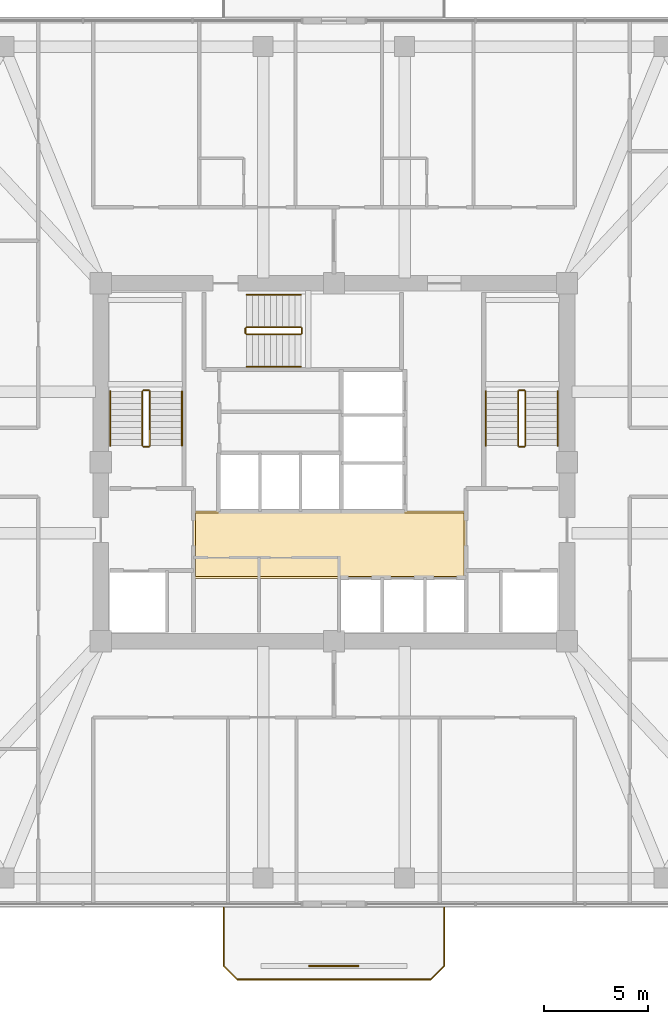
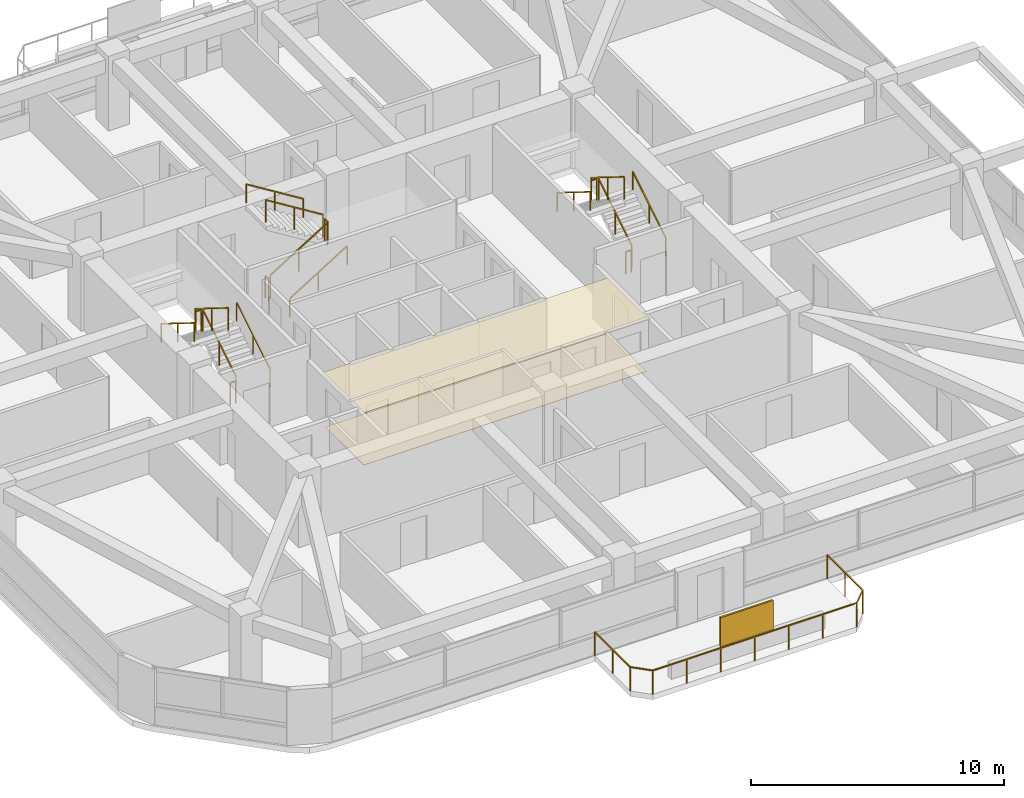
# One storey, part 11 of 12: 19 railings, 2 coverings, 1 shading device.
"""IFC4 building model written with IfcOpenShell, lengths in metres."""

from ifc_helpers import new_model, si_unit, derived_unit, direction, frame, origin, origin_2d, place, context, subcontext, project, spatial, polyline, rectangle, outline, extrude, material, layer, layer_set, type_object, element, save


model = new_model("IFC4")

# Units and contexts
model_context = context("Model", 3, precision=1e-05, world=origin(), true_north=direction((0.0, 1.0)))
body_context = subcontext(model_context, "Body", "Model", "MODEL_VIEW")
ifc_project = project(units=[si_unit("LENGTHUNIT", "METRE"), si_unit("AREAUNIT", "SQUARE_METRE"), si_unit("VOLUMEUNIT", "CUBIC_METRE"), si_unit("PLANEANGLEUNIT", "RADIAN"), si_unit("MASSUNIT", "GRAM", prefix="KILO"), derived_unit("THERMALTRANSMITTANCEUNIT", [(si_unit("POWERUNIT", "WATT"), 1), (si_unit("LENGTHUNIT", "METRE"), -2), (si_unit("THERMODYNAMICTEMPERATUREUNIT", "KELVIN"), -1)])], contexts=[model_context])

# Site, building, storey
site_placement = place(None, origin())
site = spatial("IfcSite", under=ifc_project, at=site_placement, CompositionType="ELEMENT")
building_placement = place(site_placement, origin())
building = spatial("IfcBuilding", under=site, at=building_placement, Name="Koralith Skygarden Medical Center", CompositionType="ELEMENT")
storey_placement = place(building_placement, frame((0.0, 0.0, 138.419921875)))
storey = spatial("IfcBuildingStorey", under=building, at=storey_placement, Name="L35", CompositionType="ELEMENT", Elevation=138.419921875)

# Covering
ifc_material_1 = material(Name="Acoustic Mineral Tile")
ifc_layer_1 = layer(ifc_material_1, 0.02001953125)
ifc_layer_set_1 = layer_set([ifc_layer_1], Name="Acoustic Mineral Tile")
covering_type_1 = type_object("IfcCoveringType", Name="Acoustic Hygienic Mineral Ceiling 20", PredefinedType="CEILING", material=ifc_layer_set_1)
covering_1_placement = place(storey_placement, frame((0.0, 0.0, 2.5849609375)))
element("IfcCovering", 1, at=covering_1_placement, inside=storey, type_object=covering_type_1, Name="L35 Core Lobby Acoustic Ceiling", PredefinedType="CEILING", context=body_context, shape_type="SweptSolid", body=[
    extrude(outline(polyline([(30.25, 20.320068359375), (43.35009765625, 20.320068359375), (43.35009765625, 23.56005859375), (30.25, 23.56005859375), (30.25, 20.320068359375)])), origin(), (0.0, 0.0, 1.0), 0.02001953125),
])

# Railing
ifc_material_2 = material(Name="Steel ASTM A500 Grade C", Category="steel")
railing_type_1 = type_object("IfcRailingType", Name="Outdoor Terrace & Balcony Safety Guardrail 1180", PredefinedType="GUARDRAIL", material=ifc_material_2)
railing_1_placement = place(storey_placement, frame((31.699951171875, 4.5, 0.0)))
element("IfcRailing", 2, at=railing_1_placement, inside=storey, type_object=railing_type_1, Name="L35 S Balcony Perimeter Guardrail", PredefinedType="GUARDRAIL", context=body_context, shape_type="SweptSolid", body=[
    extrude(rectangle(XDim=0.050048828125, YDim=0.050048828125, at=origin_2d()), frame((0.0, -0.001953125, 1.15478515625), z_axis=(0.0, -1.0, 0.0), x_axis=(1.0, 0.0, 0.0)), (0.0, 0.0, 1.0), 2.796142578125),
    extrude(rectangle(XDim=0.050048828125, YDim=0.050048828125, at=origin_2d()), frame((0.00146484375, -2.801513671875, 1.15478515625), z_axis=(0.707239558722, -0.706973978714, 0.0), x_axis=(0.706973978714, 0.707239558722, 0.0)), (0.0, 0.0, 1.0), 0.915283203125),
    extrude(rectangle(XDim=0.050048828125, YDim=0.050048828125, at=origin_2d()), frame((0.652099609375, -3.449951171875, 1.15478515625), z_axis=(1.0, 0.0, 0.0), x_axis=(0.0, 1.0, 0.0)), (0.0, 0.0, 1.0), 9.2958984375),
    extrude(rectangle(XDim=0.050048828125, YDim=0.050048828125, at=origin_2d()), frame((9.951416015625, -3.448486328125, 1.15478515625), z_axis=(0.707239558722, 0.706973978714, 0.0), x_axis=(-0.706973978714, 0.707239558722, 0.0)), (0.0, 0.0, 1.0), 0.915283203125),
    extrude(rectangle(XDim=0.050048828125, YDim=0.050048828125, at=origin_2d()), frame((10.60009765625, -2.798095703125, 1.15478515625), z_axis=(0.0, 1.0, 0.0), x_axis=(-1.0, 0.0, 0.0)), (0.0, 0.0, 1.0), 2.796142578125),
    extrude(rectangle(XDim=0.0419921875, YDim=0.0419921875, at=origin_2d()), origin(), (0.0, 0.0, 1.0), 1.1279296875),
    extrude(rectangle(XDim=0.0419921875, YDim=0.0419921875, at=origin_2d()), frame((0.0, -1.39990234375, 0.0)), (0.0, 0.0, 1.0), 1.1279296875),
    extrude(rectangle(XDim=0.0419921875, YDim=0.0419921875, at=origin_2d()), frame((0.0, -2.800048828125, 0.0)), (0.0, 0.0, 1.0), 1.1279296875),
    extrude(rectangle(XDim=0.0419921875, YDim=0.0419921875, at=origin_2d()), frame((0.650146484375, -3.449951171875, 0.0)), (0.0, 0.0, 1.0), 1.1279296875),
    extrude(rectangle(XDim=0.0419921875, YDim=0.0419921875, at=origin_2d()), frame((2.2001953125, -3.449951171875, 0.0)), (0.0, 0.0, 1.0), 1.1279296875),
    extrude(rectangle(XDim=0.0419921875, YDim=0.0419921875, at=origin_2d()), frame((3.75, -3.449951171875, 0.0)), (0.0, 0.0, 1.0), 1.1279296875),
    extrude(rectangle(XDim=0.0419921875, YDim=0.0419921875, at=origin_2d()), frame((5.300048828125, -3.449951171875, 0.0)), (0.0, 0.0, 1.0), 1.1279296875),
    extrude(rectangle(XDim=0.0419921875, YDim=0.0419921875, at=origin_2d()), frame((6.85009765625, -3.449951171875, 0.0)), (0.0, 0.0, 1.0), 1.1279296875),
    extrude(rectangle(XDim=0.0419921875, YDim=0.0419921875, at=origin_2d()), frame((8.39990234375, -3.449951171875, 0.0)), (0.0, 0.0, 1.0), 1.1279296875),
    extrude(rectangle(XDim=0.0419921875, YDim=0.0419921875, at=origin_2d()), frame((9.949951171875, -3.449951171875, 0.0)), (0.0, 0.0, 1.0), 1.1279296875),
    extrude(rectangle(XDim=0.0419921875, YDim=0.0419921875, at=origin_2d()), frame((10.60009765625, -2.800048828125, 0.0)), (0.0, 0.0, 1.0), 1.1279296875),
    extrude(rectangle(XDim=0.0419921875, YDim=0.0419921875, at=origin_2d()), frame((10.60009765625, -1.39990234375, 0.0)), (0.0, 0.0, 1.0), 1.1279296875),
    extrude(rectangle(XDim=0.0419921875, YDim=0.0419921875, at=origin_2d()), frame((10.60009765625, 0.0, 0.0)), (0.0, 0.0, 1.0), 1.1279296875),
])

# Shading device
ifc_material_3 = material(Name="Aluminium 6063-T6", Category="aluminium")
ifc_layer_2 = layer(ifc_material_3, 0.080078125)
ifc_layer_set_2 = layer_set([ifc_layer_2], Name="Aluminium 6063-T6")
shading_device_type = type_object("IfcShadingDeviceType", Name="Perforated Biophilic Balcony Trellis Screen", PredefinedType="USERDEFINED", material=ifc_layer_set_2)
shading_device_placement = place(storey_placement, frame((37.0, 1.699951171875, 0.72021484375), z_axis=(0.0, 0.0, 1.0), x_axis=(1.0, 0.0, 0.0)))
element("IfcShadingDevice", 3, at=shading_device_placement, inside=storey, type_object=shading_device_type, Name="L35 S Biophilic Balcony Trellis Screen", ObjectType="HURRICANE SCREEN", PredefinedType="USERDEFINED", context=body_context, shape_type="SweptSolid", body=[
    extrude(rectangle(XDim=2.39990234375, YDim=0.080078125, at=origin_2d()), origin(), (0.0, 0.0, 1.0), 1.39990234375),
])

# Covering
ifc_material_4 = material(Name="Medical Terrazzo Flooring")
ifc_layer_3 = layer(ifc_material_4, 0.014892578125)
ifc_layer_set_3 = layer_set([ifc_layer_3], Name="Medical Terrazzo Flooring")
covering_type_2 = type_object("IfcCoveringType", Name="Seamless Antimicrobial Terrazzo Flooring 15", PredefinedType="FLOORING", material=ifc_layer_set_3)
covering_2_placement = place(storey_placement, origin())
element("IfcCovering", 4, at=covering_2_placement, inside=storey, type_object=covering_type_2, Name="L35 Core Lobby Terrazzo Flooring", PredefinedType="FLOORING", context=body_context, shape_type="SweptSolid", body=[
    extrude(outline(polyline([(30.35009765625, 20.419921875), (43.25, 20.419921875), (43.25, 23.4599609375), (30.35009765625, 23.4599609375), (30.35009765625, 20.419921875)])), origin(), (0.0, 0.0, 1.0), 0.01513671875),
])

# Railings
railing_type_2 = type_object("IfcRailingType", Name="Stair Flight Tubular Handrail 920", PredefinedType="HANDRAIL", material=ifc_material_2)
railing_2_placement = place(storey_placement, frame((29.699951171875, 26.699951171875, 0.18017578125)))
element("IfcRailing", 5, at=railing_2_placement, inside=storey, type_object=railing_type_2, Name="L35 ST1 stair handrail 1", PredefinedType="HANDRAIL", context=body_context, shape_type="SweptSolid", body=[
    extrude(rectangle(XDim=0.050048828125, YDim=0.050048828125, at=origin_2d()), frame((0.0, 0.001708984375, 0.89599609375), z_axis=(0.0, 0.849668407637, 0.527317358963), x_axis=(-1.0, 0.0, 0.0)), (0.0, 0.0, 1.0), 3.06787109375),
    extrude(rectangle(XDim=0.0419921875, YDim=0.0419921875, at=origin_2d()), origin(), (0.0, 0.0, 1.0), 0.867919921875),
    extrude(rectangle(XDim=0.0419921875, YDim=0.0419921875, at=origin_2d()), frame((0.0, 1.30517578125, 0.81005859375)), (0.0, 0.0, 1.0), 0.867919921875),
    extrude(rectangle(XDim=0.0419921875, YDim=0.0419921875, at=origin_2d()), frame((0.0, 2.610107421875, 1.619873046875)), (0.0, 0.0, 1.0), 0.867919921875),
])
railing_3_placement = place(storey_placement, frame((26.25, 29.31005859375, 1.97998046875)))
element("IfcRailing", 6, at=railing_3_placement, inside=storey, type_object=railing_type_2, Name="L35 ST1 stair handrail 2", PredefinedType="HANDRAIL", context=body_context, shape_type="SweptSolid", body=[
    extrude(rectangle(XDim=0.050048828125, YDim=0.050048828125, at=origin_2d()), frame((0.0, -0.001708984375, 0.89599609375), z_axis=(0.0, -0.849632798774, 0.527374731332), x_axis=(1.0, 0.0, 0.0)), (0.0, 0.0, 1.0), 3.068115234375),
    extrude(rectangle(XDim=0.0419921875, YDim=0.0419921875, at=origin_2d()), origin(), (0.0, 0.0, 1.0), 0.867919921875),
    extrude(rectangle(XDim=0.0419921875, YDim=0.0419921875, at=origin_2d()), frame((0.0, -1.30517578125, 0.81005859375)), (0.0, 0.0, 1.0), 0.867919921875),
    extrude(rectangle(XDim=0.0419921875, YDim=0.0419921875, at=origin_2d()), frame((0.0, -2.610107421875, 1.6201171875)), (0.0, 0.0, 1.0), 0.867919921875),
])
railing_4_placement = place(storey_placement, frame((47.75, 26.699951171875, 0.18017578125)))
element("IfcRailing", 7, at=railing_4_placement, inside=storey, type_object=railing_type_2, Name="L35 ST2 stair handrail 1", PredefinedType="HANDRAIL", context=body_context, shape_type="SweptSolid", body=[
    extrude(rectangle(XDim=0.050048828125, YDim=0.050048828125, at=origin_2d()), frame((0.0, 0.001708984375, 0.89599609375), z_axis=(0.0, 0.849668407637, 0.527317358963), x_axis=(-1.0, 0.0, 0.0)), (0.0, 0.0, 1.0), 3.06787109375),
    extrude(rectangle(XDim=0.0419921875, YDim=0.0419921875, at=origin_2d()), origin(), (0.0, 0.0, 1.0), 0.867919921875),
    extrude(rectangle(XDim=0.0419921875, YDim=0.0419921875, at=origin_2d()), frame((0.0, 1.30517578125, 0.81005859375)), (0.0, 0.0, 1.0), 0.867919921875),
    extrude(rectangle(XDim=0.0419921875, YDim=0.0419921875, at=origin_2d()), frame((0.0, 2.610107421875, 1.619873046875)), (0.0, 0.0, 1.0), 0.867919921875),
])
railing_5_placement = place(storey_placement, frame((44.300048828125, 29.31005859375, 1.97998046875)))
element("IfcRailing", 8, at=railing_5_placement, inside=storey, type_object=railing_type_2, Name="L35 ST2 stair handrail 2", PredefinedType="HANDRAIL", context=body_context, shape_type="SweptSolid", body=[
    extrude(rectangle(XDim=0.050048828125, YDim=0.050048828125, at=origin_2d()), frame((0.0, -0.001708984375, 0.89599609375), z_axis=(0.0, -0.849632798774, 0.527374731332), x_axis=(1.0, 0.0, 0.0)), (0.0, 0.0, 1.0), 3.068115234375),
    extrude(rectangle(XDim=0.0419921875, YDim=0.0419921875, at=origin_2d()), origin(), (0.0, 0.0, 1.0), 0.867919921875),
    extrude(rectangle(XDim=0.0419921875, YDim=0.0419921875, at=origin_2d()), frame((0.0, -1.30517578125, 0.81005859375)), (0.0, 0.0, 1.0), 0.867919921875),
    extrude(rectangle(XDim=0.0419921875, YDim=0.0419921875, at=origin_2d()), frame((0.0, -2.610107421875, 1.6201171875)), (0.0, 0.0, 1.0), 0.867919921875),
])
railing_6_placement = place(storey_placement, frame((32.800048828125, 30.5, 0.18017578125)))
element("IfcRailing", 9, at=railing_6_placement, inside=storey, type_object=railing_type_2, Name="L35 ST3 stair handrail 1", PredefinedType="HANDRAIL", context=body_context, shape_type="SweptSolid", body=[
    extrude(rectangle(XDim=0.050048828125, YDim=0.050048828125, at=origin_2d()), frame((0.001708984375, 0.0, 0.89599609375), z_axis=(0.849646306263, 0.0, 0.527352969322), x_axis=(0.0, 1.0, 0.0)), (0.0, 0.0, 1.0), 3.067626953125),
    extrude(rectangle(XDim=0.0419921875, YDim=0.0419921875, at=origin_2d()), origin(), (0.0, 0.0, 1.0), 0.867919921875),
    extrude(rectangle(XDim=0.0419921875, YDim=0.0419921875, at=origin_2d()), frame((1.304931640625, 0.0, 0.81005859375)), (0.0, 0.0, 1.0), 0.867919921875),
    extrude(rectangle(XDim=0.0419921875, YDim=0.0419921875, at=origin_2d()), frame((2.60986328125, 0.0, 1.619873046875)), (0.0, 0.0, 1.0), 0.867919921875),
])
railing_7_placement = place(storey_placement, frame((35.409912109375, 33.949951171875, 1.97998046875)))
element("IfcRailing", 10, at=railing_7_placement, inside=storey, type_object=railing_type_2, Name="L35 ST3 stair handrail 2", PredefinedType="HANDRAIL", context=body_context, shape_type="SweptSolid", body=[
    extrude(rectangle(XDim=0.050048828125, YDim=0.050048828125, at=origin_2d()), frame((-0.001708984375, 0.0, 0.89599609375), z_axis=(-0.849610693518, 0.0, 0.52741034258), x_axis=(0.0, -1.0, 0.0)), (0.0, 0.0, 1.0), 3.06787109375),
    extrude(rectangle(XDim=0.0419921875, YDim=0.0419921875, at=origin_2d()), origin(), (0.0, 0.0, 1.0), 0.867919921875),
    extrude(rectangle(XDim=0.0419921875, YDim=0.0419921875, at=origin_2d()), frame((-1.304931640625, 0.0, 0.81005859375)), (0.0, 0.0, 1.0), 0.867919921875),
    extrude(rectangle(XDim=0.0419921875, YDim=0.0419921875, at=origin_2d()), frame((-2.60986328125, 0.0, 1.6201171875)), (0.0, 0.0, 1.0), 0.867919921875),
])
railing_type_3 = type_object("IfcRailingType", Name="Stair Well Safety Guardrail 1100", PredefinedType="GUARDRAIL", material=ifc_material_2)
railing_8_placement = place(storey_placement, frame((28.14990234375, 26.699951171875, 0.18017578125)))
element("IfcRailing", 11, at=railing_8_placement, inside=storey, type_object=railing_type_3, Name="L35 ST1 stair guard 1", PredefinedType="GUARDRAIL", context=body_context, shape_type="SweptSolid", body=[
    extrude(rectangle(XDim=0.050048828125, YDim=0.050048828125, at=origin_2d()), frame((0.0, 0.001708984375, 1.076171875), z_axis=(0.0, 0.849668407637, 0.527317358963), x_axis=(-1.0, 0.0, 0.0)), (0.0, 0.0, 1.0), 3.06787109375),
    extrude(rectangle(XDim=0.0419921875, YDim=0.0419921875, at=origin_2d()), origin(), (0.0, 0.0, 1.0), 1.048095703125),
    extrude(rectangle(XDim=0.0419921875, YDim=0.0419921875, at=origin_2d()), frame((0.0, 1.30517578125, 0.81005859375)), (0.0, 0.0, 1.0), 1.048095703125),
    extrude(rectangle(XDim=0.0419921875, YDim=0.0419921875, at=origin_2d()), frame((0.0, 2.610107421875, 1.619873046875)), (0.0, 0.0, 1.0), 1.048095703125),
])
railing_9_placement = place(storey_placement, frame((28.10009765625, 29.360107421875, 1.800048828125)))
element("IfcRailing", 12, at=railing_9_placement, inside=storey, type_object=railing_type_3, Name="L35 ST1 stair guard 2", PredefinedType="GUARDRAIL", context=body_context, shape_type="SweptSolid", body=[
    extrude(rectangle(XDim=0.050048828125, YDim=0.050048828125, at=origin_2d()), frame((-0.001953125, 0.0, 1.0751953125), z_axis=(-1.0, 0.0, 0.0), x_axis=(0.0, -1.0, 0.0)), (0.0, 0.0, 1.0), 0.24609375),
    extrude(rectangle(XDim=0.0419921875, YDim=0.0419921875, at=origin_2d()), origin(), (0.0, 0.0, 1.0), 1.048095703125),
    extrude(rectangle(XDim=0.0419921875, YDim=0.0419921875, at=origin_2d()), frame((-0.25, 0.0, 0.0)), (0.0, 0.0, 1.0), 1.048095703125),
])
railing_10_placement = place(storey_placement, frame((27.800048828125, 29.31005859375, 1.97998046875)))
element("IfcRailing", 13, at=railing_10_placement, inside=storey, type_object=railing_type_3, Name="L35 ST1 stair guard 3", PredefinedType="GUARDRAIL", context=body_context, shape_type="SweptSolid", body=[
    extrude(rectangle(XDim=0.050048828125, YDim=0.050048828125, at=origin_2d()), frame((0.0, -0.001708984375, 1.076171875), z_axis=(0.0, -0.849632798774, 0.527374731332), x_axis=(1.0, 0.0, 0.0)), (0.0, 0.0, 1.0), 3.068115234375),
    extrude(rectangle(XDim=0.0419921875, YDim=0.0419921875, at=origin_2d()), origin(), (0.0, 0.0, 1.0), 1.048095703125),
    extrude(rectangle(XDim=0.0419921875, YDim=0.0419921875, at=origin_2d()), frame((0.0, -1.30517578125, 0.81005859375)), (0.0, 0.0, 1.0), 1.048095703125),
    extrude(rectangle(XDim=0.0419921875, YDim=0.0419921875, at=origin_2d()), frame((0.0, -2.610107421875, 1.6201171875)), (0.0, 0.0, 1.0), 1.048095703125),
])
railing_11_placement = place(storey_placement, frame((28.10009765625, 26.64990234375, 0.0)))
element("IfcRailing", 14, at=railing_11_placement, inside=storey, type_object=railing_type_3, Name="L35 ST1 stair guard 4", PredefinedType="GUARDRAIL", context=body_context, shape_type="SweptSolid", body=[
    extrude(rectangle(XDim=0.050048828125, YDim=0.050048828125, at=origin_2d()), frame((-0.001953125, 0.0, 1.0751953125), z_axis=(-1.0, 0.0, 0.0), x_axis=(0.0, -1.0, 0.0)), (0.0, 0.0, 1.0), 0.24609375),
    extrude(rectangle(XDim=0.0419921875, YDim=0.0419921875, at=origin_2d()), origin(), (0.0, 0.0, 1.0), 1.048095703125),
    extrude(rectangle(XDim=0.0419921875, YDim=0.0419921875, at=origin_2d()), frame((-0.25, 0.0, 0.0)), (0.0, 0.0, 1.0), 1.048095703125),
])
railing_12_placement = place(storey_placement, frame((46.199951171875, 26.699951171875, 0.18017578125)))
element("IfcRailing", 15, at=railing_12_placement, inside=storey, type_object=railing_type_3, Name="L35 ST2 stair guard 1", PredefinedType="GUARDRAIL", context=body_context, shape_type="SweptSolid", body=[
    extrude(rectangle(XDim=0.050048828125, YDim=0.050048828125, at=origin_2d()), frame((0.0, 0.001708984375, 1.076171875), z_axis=(0.0, 0.849668407637, 0.527317358963), x_axis=(-1.0, 0.0, 0.0)), (0.0, 0.0, 1.0), 3.06787109375),
    extrude(rectangle(XDim=0.0419921875, YDim=0.0419921875, at=origin_2d()), origin(), (0.0, 0.0, 1.0), 1.048095703125),
    extrude(rectangle(XDim=0.0419921875, YDim=0.0419921875, at=origin_2d()), frame((0.0, 1.30517578125, 0.81005859375)), (0.0, 0.0, 1.0), 1.048095703125),
    extrude(rectangle(XDim=0.0419921875, YDim=0.0419921875, at=origin_2d()), frame((0.0, 2.610107421875, 1.619873046875)), (0.0, 0.0, 1.0), 1.048095703125),
])
railing_13_placement = place(storey_placement, frame((46.14990234375, 29.360107421875, 1.800048828125)))
element("IfcRailing", 16, at=railing_13_placement, inside=storey, type_object=railing_type_3, Name="L35 ST2 stair guard 2", PredefinedType="GUARDRAIL", context=body_context, shape_type="SweptSolid", body=[
    extrude(rectangle(XDim=0.050048828125, YDim=0.050048828125, at=origin_2d()), frame((-0.001953125, 0.0, 1.0751953125), z_axis=(-1.0, 0.0, 0.0), x_axis=(0.0, -1.0, 0.0)), (0.0, 0.0, 1.0), 0.24609375),
    extrude(rectangle(XDim=0.0419921875, YDim=0.0419921875, at=origin_2d()), origin(), (0.0, 0.0, 1.0), 1.048095703125),
    extrude(rectangle(XDim=0.0419921875, YDim=0.0419921875, at=origin_2d()), frame((-0.25, 0.0, 0.0)), (0.0, 0.0, 1.0), 1.048095703125),
])
railing_14_placement = place(storey_placement, frame((45.85009765625, 29.31005859375, 1.97998046875)))
element("IfcRailing", 17, at=railing_14_placement, inside=storey, type_object=railing_type_3, Name="L35 ST2 stair guard 3", PredefinedType="GUARDRAIL", context=body_context, shape_type="SweptSolid", body=[
    extrude(rectangle(XDim=0.050048828125, YDim=0.050048828125, at=origin_2d()), frame((0.0, -0.001708984375, 1.076171875), z_axis=(0.0, -0.849632798774, 0.527374731332), x_axis=(1.0, 0.0, 0.0)), (0.0, 0.0, 1.0), 3.068115234375),
    extrude(rectangle(XDim=0.0419921875, YDim=0.0419921875, at=origin_2d()), origin(), (0.0, 0.0, 1.0), 1.048095703125),
    extrude(rectangle(XDim=0.0419921875, YDim=0.0419921875, at=origin_2d()), frame((0.0, -1.30517578125, 0.81005859375)), (0.0, 0.0, 1.0), 1.048095703125),
    extrude(rectangle(XDim=0.0419921875, YDim=0.0419921875, at=origin_2d()), frame((0.0, -2.610107421875, 1.6201171875)), (0.0, 0.0, 1.0), 1.048095703125),
])
railing_15_placement = place(storey_placement, frame((46.14990234375, 26.64990234375, 0.0)))
element("IfcRailing", 18, at=railing_15_placement, inside=storey, type_object=railing_type_3, Name="L35 ST2 stair guard 4", PredefinedType="GUARDRAIL", context=body_context, shape_type="SweptSolid", body=[
    extrude(rectangle(XDim=0.050048828125, YDim=0.050048828125, at=origin_2d()), frame((-0.001953125, 0.0, 1.0751953125), z_axis=(-1.0, 0.0, 0.0), x_axis=(0.0, -1.0, 0.0)), (0.0, 0.0, 1.0), 0.24609375),
    extrude(rectangle(XDim=0.0419921875, YDim=0.0419921875, at=origin_2d()), origin(), (0.0, 0.0, 1.0), 1.048095703125),
    extrude(rectangle(XDim=0.0419921875, YDim=0.0419921875, at=origin_2d()), frame((-0.25, 0.0, 0.0)), (0.0, 0.0, 1.0), 1.048095703125),
])
railing_16_placement = place(storey_placement, frame((32.800048828125, 32.050048828125, 0.18017578125)))
element("IfcRailing", 19, at=railing_16_placement, inside=storey, type_object=railing_type_3, Name="L35 ST3 stair guard 1", PredefinedType="GUARDRAIL", context=body_context, shape_type="SweptSolid", body=[
    extrude(rectangle(XDim=0.050048828125, YDim=0.050048828125, at=origin_2d()), frame((0.001708984375, 0.0, 1.076171875), z_axis=(0.849646306263, 0.0, 0.527352969322), x_axis=(0.0, 1.0, 0.0)), (0.0, 0.0, 1.0), 3.067626953125),
    extrude(rectangle(XDim=0.0419921875, YDim=0.0419921875, at=origin_2d()), origin(), (0.0, 0.0, 1.0), 1.048095703125),
    extrude(rectangle(XDim=0.0419921875, YDim=0.0419921875, at=origin_2d()), frame((1.304931640625, 0.0, 0.81005859375)), (0.0, 0.0, 1.0), 1.048095703125),
    extrude(rectangle(XDim=0.0419921875, YDim=0.0419921875, at=origin_2d()), frame((2.60986328125, 0.0, 1.619873046875)), (0.0, 0.0, 1.0), 1.048095703125),
])
railing_17_placement = place(storey_placement, frame((35.4599609375, 32.10009765625, 1.800048828125)))
element("IfcRailing", 20, at=railing_17_placement, inside=storey, type_object=railing_type_3, Name="L35 ST3 stair guard 2", PredefinedType="GUARDRAIL", context=body_context, shape_type="SweptSolid", body=[
    extrude(rectangle(XDim=0.050048828125, YDim=0.050048828125, at=origin_2d()), frame((0.0, 0.001953125, 1.0751953125), z_axis=(0.0, 1.0, 0.0), x_axis=(-1.0, 0.0, 0.0)), (0.0, 0.0, 1.0), 0.24609375),
    extrude(rectangle(XDim=0.0419921875, YDim=0.0419921875, at=origin_2d()), origin(), (0.0, 0.0, 1.0), 1.048095703125),
    extrude(rectangle(XDim=0.0419921875, YDim=0.0419921875, at=origin_2d()), frame((0.0, 0.25, 0.0)), (0.0, 0.0, 1.0), 1.048095703125),
])
railing_18_placement = place(storey_placement, frame((35.409912109375, 32.39990234375, 1.97998046875)))
element("IfcRailing", 21, at=railing_18_placement, inside=storey, type_object=railing_type_3, Name="L35 ST3 stair guard 3", PredefinedType="GUARDRAIL", context=body_context, shape_type="SweptSolid", body=[
    extrude(rectangle(XDim=0.050048828125, YDim=0.050048828125, at=origin_2d()), frame((-0.001708984375, 0.0, 1.076171875), z_axis=(-0.849610693518, 0.0, 0.52741034258), x_axis=(0.0, -1.0, 0.0)), (0.0, 0.0, 1.0), 3.06787109375),
    extrude(rectangle(XDim=0.0419921875, YDim=0.0419921875, at=origin_2d()), origin(), (0.0, 0.0, 1.0), 1.048095703125),
    extrude(rectangle(XDim=0.0419921875, YDim=0.0419921875, at=origin_2d()), frame((-1.304931640625, 0.0, 0.81005859375)), (0.0, 0.0, 1.0), 1.048095703125),
    extrude(rectangle(XDim=0.0419921875, YDim=0.0419921875, at=origin_2d()), frame((-2.60986328125, 0.0, 1.6201171875)), (0.0, 0.0, 1.0), 1.048095703125),
])
railing_19_placement = place(storey_placement, frame((32.75, 32.10009765625, 0.0)))
element("IfcRailing", 22, at=railing_19_placement, inside=storey, type_object=railing_type_3, Name="L35 ST3 stair guard 4", PredefinedType="GUARDRAIL", context=body_context, shape_type="SweptSolid", body=[
    extrude(rectangle(XDim=0.050048828125, YDim=0.050048828125, at=origin_2d()), frame((0.0, 0.001953125, 1.0751953125), z_axis=(0.0, 1.0, 0.0), x_axis=(-1.0, 0.0, 0.0)), (0.0, 0.0, 1.0), 0.24609375),
    extrude(rectangle(XDim=0.0419921875, YDim=0.0419921875, at=origin_2d()), origin(), (0.0, 0.0, 1.0), 1.048095703125),
    extrude(rectangle(XDim=0.0419921875, YDim=0.0419921875, at=origin_2d()), frame((0.0, 0.25, 0.0)), (0.0, 0.0, 1.0), 1.048095703125),
])

save(model, "model.ifc")
